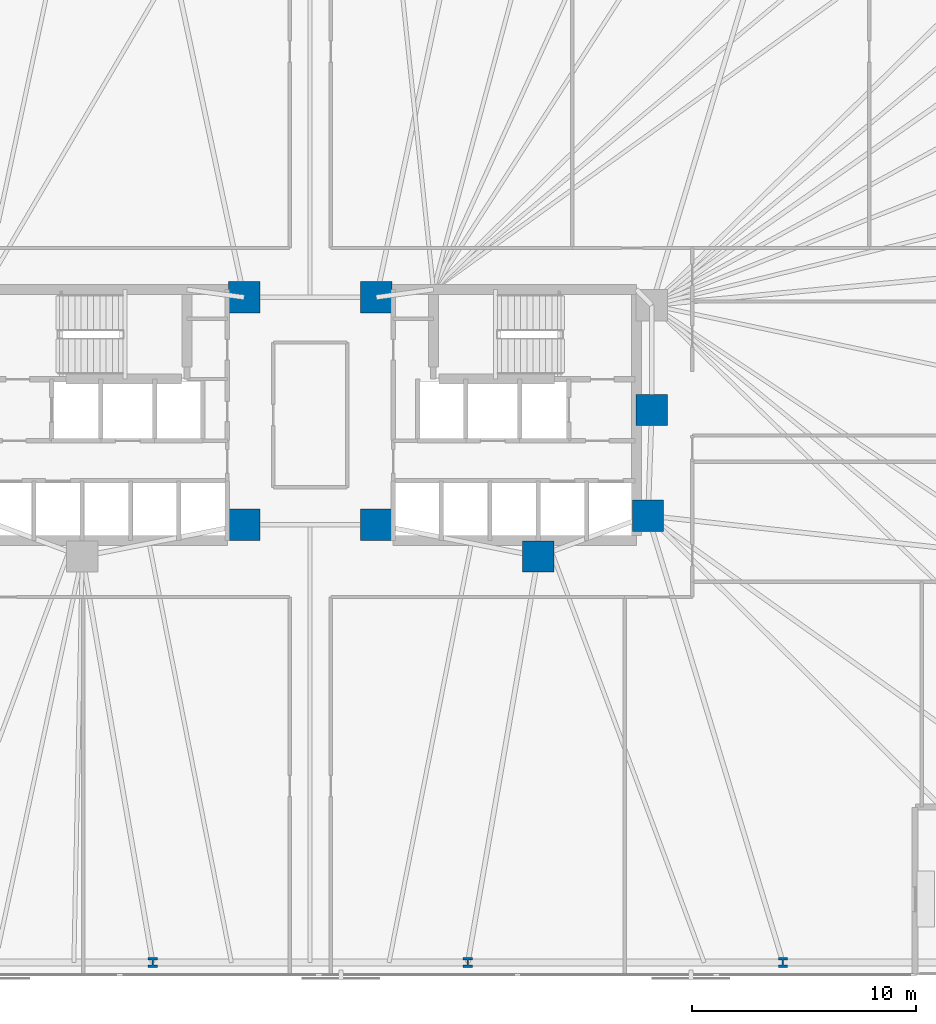
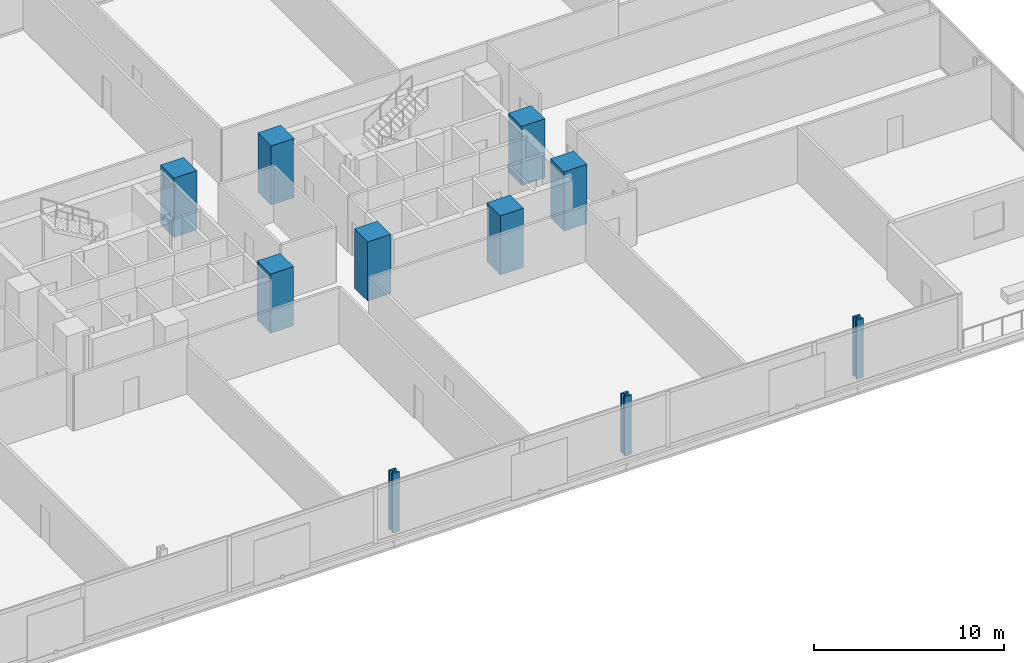
# One storey, part 3 of 17: 10 columns.
"""IFC4 building model written with IfcOpenShell, lengths in metres."""

from ifc_helpers import new_model, si_unit, direction, frame, origin, origin_2d, place, context, subcontext, project, spatial, rectangle, i_section, extrude, material, material_profile, profile_set, type_object, element, save


model = new_model("IFC4")

# Units and contexts
model_context = context("Model", 3, precision=1e-05, world=origin(), true_north=direction((0.0, 1.0)))
body_context = subcontext(model_context, "Body", "Model", "MODEL_VIEW")
ifc_project = project(units=[si_unit("LENGTHUNIT", "METRE"), si_unit("AREAUNIT", "SQUARE_METRE"), si_unit("VOLUMEUNIT", "CUBIC_METRE"), si_unit("PLANEANGLEUNIT", "RADIAN"), si_unit("MASSUNIT", "GRAM", prefix="KILO")], contexts=[model_context])

# Site, building, storey
site_placement = place(None, origin())
site = spatial("IfcSite", under=ifc_project, at=site_placement, CompositionType="ELEMENT")
building_placement = place(site_placement, origin())
building = spatial("IfcBuilding", under=site, at=building_placement, Name="Menara Jurai Vektor", CompositionType="ELEMENT")
storey_placement = place(building_placement, frame((0.0, 0.0, 44.60009765625)))
storey = spatial("IfcBuildingStorey", under=building, at=storey_placement, Name="L10", CompositionType="ELEMENT", Elevation=44.60009765625)

# Columns
ifc_material_1 = material(Name="Concrete C60/75", Category="concrete")
ifc_material_profile_1 = material_profile(ifc_material_1, rectangle(XDim=1.39990234375, YDim=1.39990234375, at=origin_2d()), Name="RC 1400x1400")
ifc_profile_set_1 = profile_set([ifc_material_profile_1], Name="Concrete C60/75")
column_type_1 = type_object("IfcColumnType", Name="STR-COL-RC1400", PredefinedType="COLUMN", material=ifc_profile_set_1)
for number, where, z_axis, x_axis, name in (
    (1, (-2.949951171875, -4.89990234375, 0.0), (0.0, 0.0, 1.0), (1.0, 0.0, 0.0), "Core Spine Column CW-SE L10"),
    (2, (-2.949951171875, 5.25, 0.0), (0.0, 0.0, 1.0), (1.0, 0.0, 0.0), "Core Spine Column CW-NE L10"),
    (3, (15.25, 0.219970703125, 0.0), (0.0, 0.0, 1.0), (1.0, 0.0, 0.0), "Core Spine Column CE-EM L10"),
    (4, (15.080078125, -4.5, 0.0), (0.0, 0.0, 1.0), (1.0, 0.0, 0.0), "Core Spine Column CE-SE L10"),
    (5, (10.179931640625, -6.320068359375, 0.0), (0.0, 0.0, 1.0), (1.0, 0.0, 0.0), "Core Spine Column CE-SM L10"),
    (6, (2.949951171875, -4.89990234375, 0.0), (0.0, 0.0, 1.0), (1.0, 0.0, 0.0), "Core Spine Column CE-SW L10"),
    (7, (2.949951171875, 5.25, 0.0), (0.0, 0.0, 1.0), (1.0, 0.0, 0.0), "Core Spine Column CE-NW L10"),
):
    element("IfcColumn", number, at=place(storey_placement, frame(where, z_axis=z_axis, x_axis=x_axis)), inside=storey, type_object=column_type_1, Name=name, PredefinedType="COLUMN", context=body_context, shape_type="SweptSolid", body=[
        extrude(rectangle(XDim=1.39990234375, YDim=1.39990234375, at=origin_2d()), origin(), (0.0, 0.0, 1.0), 3.7998046875),
    ])
ifc_material_2 = material(Name="Steel S460", Category="steel")
ifc_material_profile_2 = material_profile(ifc_material_2, i_section(OverallWidth=0.419921875, OverallDepth=0.430908203125, WebThickness=0.06494140625, FlangeThickness=0.10595703125, FilletRadius=0.014892578125, at=origin_2d()), Name="HD 400x900")
ifc_profile_set_2 = profile_set([ifc_material_profile_2], Name="Steel S460")
column_type_2 = type_object("IfcColumnType", Name="STR-EXO-BLK1", PredefinedType="COLUMN", material=ifc_profile_set_2)
for number, where, z_axis, x_axis, name in (
    (8, (-7.03564453125, -24.449951171875, 0.0), (0.0, 0.0, 1.0), (1.0, 0.0, 0.0), "Exoskeleton Column BLK1-S3 L10"),
    (9, (7.03564453125, -24.449951171875, 0.0), (0.0, 0.0, 1.0), (1.0, 0.0, 0.0), "Exoskeleton Column BLK1-S4 L10"),
    (10, (21.106689453125, -24.449951171875, 0.0), (0.0, 0.0, 1.0), (1.0, 0.0, 0.0), "Exoskeleton Column BLK1-S5 L10"),
):
    element("IfcColumn", number, at=place(storey_placement, frame(where, z_axis=z_axis, x_axis=x_axis)), inside=storey, type_object=column_type_2, Name=name, PredefinedType="COLUMN", context=body_context, shape_type="SweptSolid", body=[
        extrude(i_section(OverallWidth=0.419921875, OverallDepth=0.430908203125, WebThickness=0.06494140625, FlangeThickness=0.10595703125, FilletRadius=0.014892578125, at=origin_2d()), origin(), (0.0, 0.0, 1.0), 3.7998046875),
    ])

save(model, "model.ifc")
